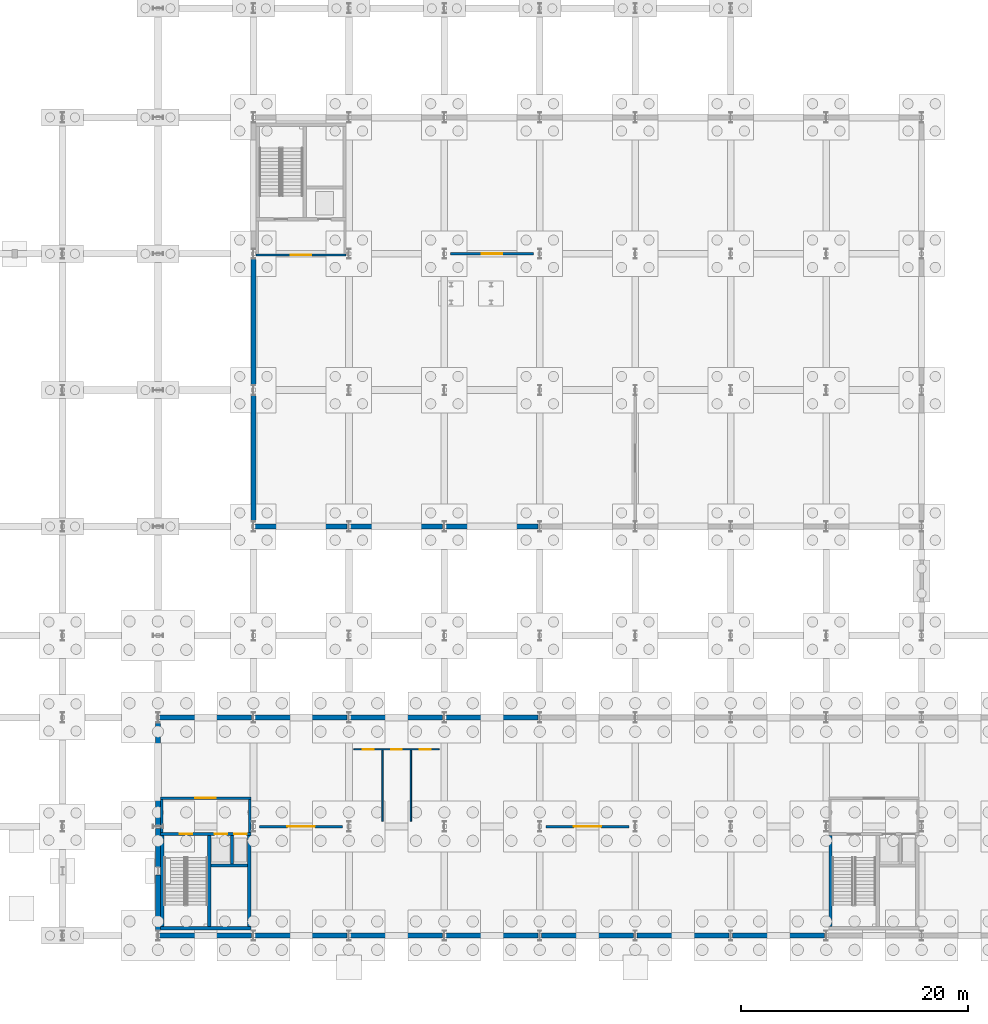
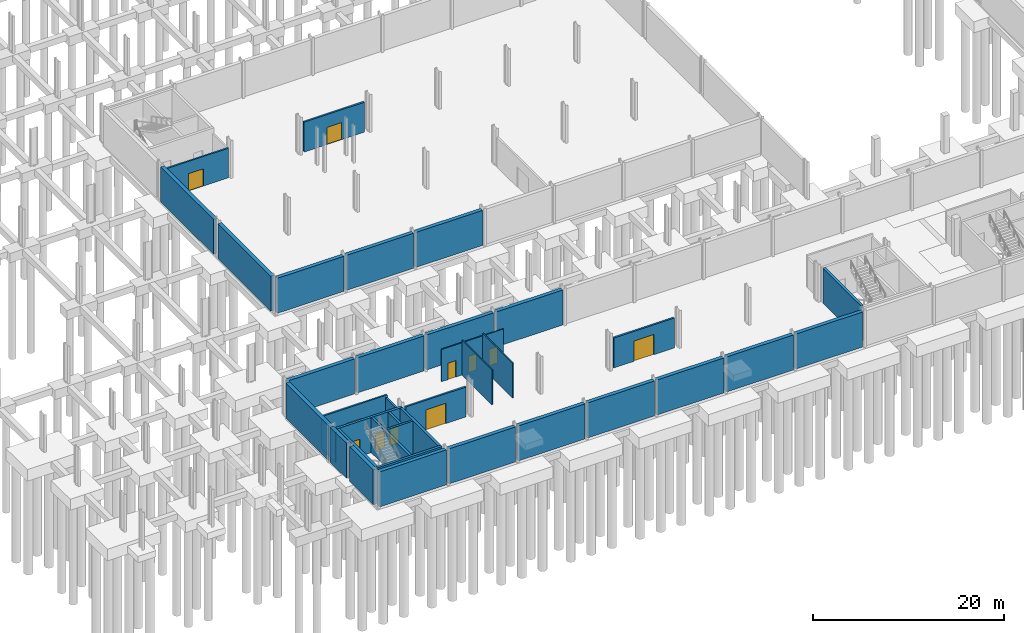
# One storey, part 20 of 29: 37 walls, 11 doors, 11 openings.
"""IFC4 building model written with IfcOpenShell, lengths in metres."""

from ifc_helpers import new_model, si_unit, direction, frame, frame_2d, origin, place, context, subcontext, project, spatial, rectangle, extrude, material, layer, layer_set, type_object, element, fill, save


model = new_model("IFC4")

# Units and contexts
model_context = context("Model", 3, precision=1e-05, world=origin(), true_north=direction((0.0, 1.0)))
body_context = subcontext(model_context, "Body", "Model", "MODEL_VIEW")
ifc_project = project(units=[si_unit("LENGTHUNIT", "METRE"), si_unit("AREAUNIT", "SQUARE_METRE"), si_unit("VOLUMEUNIT", "CUBIC_METRE"), si_unit("PLANEANGLEUNIT", "RADIAN"), si_unit("MASSUNIT", "GRAM", prefix="KILO")], contexts=[model_context])

# Site, building, storey
site_placement = place(None, origin())
site = spatial("IfcSite", under=ifc_project, at=site_placement, CompositionType="ELEMENT")
building_placement = place(site_placement, origin())
building = spatial("IfcBuilding", under=site, at=building_placement, Name="Veltarok Museum of Natural Sciences", CompositionType="ELEMENT")
storey_placement = place(building_placement, frame((0.0, 0.0, -4.800048828125)))
storey = spatial("IfcBuildingStorey", under=building, at=storey_placement, Name="B1", CompositionType="ELEMENT", Elevation=-4.800048828125)

# Wall, opening, door
ifc_material_1 = material(Name="Concrete C35/45", Category="concrete")
ifc_layer_1 = layer(ifc_material_1, 0.219970703125)
ifc_layer_set_1 = layer_set([ifc_layer_1], Name="Concrete C35/45")
wall_type_1 = type_object("IfcWallType", Name="Archive Compartment Partition 220", PredefinedType="PARTITIONING", material=ifc_layer_set_1)
wall_1_placement = place(storey_placement, frame((40.550048828125, 9.60009765625, 0.0), z_axis=(0.0, 0.0, 1.0), x_axis=(1.0, 0.0, 0.0)))
wall_1 = element("IfcWall", 1, at=wall_1_placement, inside=storey, type_object=wall_type_1, Name="Interior Partition B1-001", PredefinedType="PARTITIONING", context=body_context, shape_type="SweptSolid", body=[
    extrude(rectangle(XDim=7.300048828125, YDim=0.219970703125, at=frame_2d((3.64990234375, 0.0))), origin(), (0.0, 0.0, 1.0), 3.83203125),
])
opening_1_placement = place(wall_1_placement, frame((2.449951171875, 0.0, 0.0)))
opening_1 = element("IfcOpeningElement", 2, at=opening_1_placement, cuts=wall_1, Name="Opening D-B1-127", PredefinedType="OPENING", context=body_context, shape_type="SweptSolid", body=[
    extrude(rectangle(XDim=2.39990234375, YDim=2.60009765625, at=frame_2d((1.199951171875, 1.300048828125))), frame((0.0, 0.1201171875, 0.0), z_axis=(0.0, -1.0, 0.0), x_axis=(1.0, 0.0, 0.0)), (0.0, 0.0, 1.0), 0.239990234375),
])
ifc_material_2 = material(Name="Heavy fire-rated steel", Category="steel")
door_type_1 = type_object("IfcDoorType", Name="Archive Crate Double Vault Door 2400x2600", OperationType="NOTDEFINED", PredefinedType="DOOR", material=ifc_material_2)
door_1_placement = place(opening_1_placement, origin())
door_1 = element("IfcDoor", 3, at=door_1_placement, inside=storey, type_object=door_type_1, Name="Interior Door D-B1-127", OperationType="DOUBLE_DOOR_SINGLE_SWING", OverallHeight=2.60009765625, OverallWidth=2.39990234375, PredefinedType="DOOR", context=body_context, shape_type="SweptSolid", body=[
    extrude(rectangle(XDim=2.39990234375, YDim=2.60009765625, at=frame_2d((1.199951171875, 1.300048828125))), frame((0.0, 0.02490234375, 0.0), z_axis=(0.0, -1.0, 0.0), x_axis=(1.0, 0.0, 0.0)), (0.0, 0.0, 1.0), 0.050048828125),
])
fill(opening_1, door_1)

wall_2_placement = place(storey_placement, frame((65.75, 9.60009765625, 0.0), z_axis=(0.0, 0.0, 1.0), x_axis=(1.0, 0.0, 0.0)))
wall_2 = element("IfcWall", 4, at=wall_2_placement, inside=storey, type_object=wall_type_1, Name="Interior Partition B1-002", PredefinedType="PARTITIONING", context=body_context, shape_type="SweptSolid", body=[
    extrude(rectangle(XDim=7.300048828125, YDim=0.219970703125, at=frame_2d((3.64990234375, 0.0))), origin(), (0.0, 0.0, 1.0), 3.83203125),
])
opening_2_placement = place(wall_2_placement, frame((2.449951171875, 0.0, 0.0)))
opening_2 = element("IfcOpeningElement", 5, at=opening_2_placement, cuts=wall_2, Name="Opening D-B1-128", PredefinedType="OPENING", context=body_context, shape_type="SweptSolid", body=[
    extrude(rectangle(XDim=2.39990234375, YDim=2.60009765625, at=frame_2d((1.199951171875, 1.300048828125))), frame((0.0, 0.1201171875, 0.0), z_axis=(0.0, -1.0, 0.0), x_axis=(1.0, 0.0, 0.0)), (0.0, 0.0, 1.0), 0.239990234375),
])
door_2_placement = place(opening_2_placement, origin())
door_2 = element("IfcDoor", 6, at=door_2_placement, inside=storey, type_object=door_type_1, Name="Interior Door D-B1-128", OperationType="DOUBLE_DOOR_SINGLE_SWING", OverallHeight=2.60009765625, OverallWidth=2.39990234375, PredefinedType="DOOR", context=body_context, shape_type="SweptSolid", body=[
    extrude(rectangle(XDim=2.39990234375, YDim=2.60009765625, at=frame_2d((1.199951171875, 1.300048828125))), frame((0.0, 0.02490234375, 0.0), z_axis=(0.0, -1.0, 0.0), x_axis=(1.0, 0.0, 0.0)), (0.0, 0.0, 1.0), 0.050048828125),
])
fill(opening_2, door_2)

wall_3_placement = place(storey_placement, frame((57.35009765625, 60.0, 0.0), z_axis=(0.0, 0.0, 1.0), x_axis=(1.0, 0.0, 0.0)))
wall_3 = element("IfcWall", 7, at=wall_3_placement, inside=storey, type_object=wall_type_1, Name="Interior Partition B1-004", PredefinedType="PARTITIONING", context=body_context, shape_type="SweptSolid", body=[
    extrude(rectangle(XDim=7.2998046875, YDim=0.219970703125, at=frame_2d((3.64990234375, 0.0))), origin(), (0.0, 0.0, 1.0), 3.83203125),
])
opening_3_placement = place(wall_3_placement, frame((2.75, 0.0, 0.0)))
opening_3 = element("IfcOpeningElement", 8, at=opening_3_placement, cuts=wall_3, Name="Opening D-B1-130", PredefinedType="OPENING", context=body_context, shape_type="SweptSolid", body=[
    extrude(rectangle(XDim=1.800048828125, YDim=2.199951171875, at=frame_2d((0.89990234375, 1.10009765625))), frame((0.0, 0.1201171875, 0.0), z_axis=(0.0, -1.0, 0.0), x_axis=(1.0, 0.0, 0.0)), (0.0, 0.0, 1.0), 0.239990234375),
])
ifc_material_3 = material(Name="Fire-rated steel and vision glass", Category="steel")
door_type_2 = type_object("IfcDoorType", Name="Fire Lobby Double Door 1800x2200", OperationType="NOTDEFINED", PredefinedType="DOOR", material=ifc_material_3)
door_3_placement = place(opening_3_placement, origin())
door_3 = element("IfcDoor", 9, at=door_3_placement, inside=storey, type_object=door_type_2, Name="Interior Door D-B1-130", OperationType="DOUBLE_DOOR_SINGLE_SWING", OverallHeight=2.199951171875, OverallWidth=1.800048828125, PredefinedType="DOOR", context=body_context, shape_type="SweptSolid", body=[
    extrude(rectangle(XDim=1.800048828125, YDim=2.199951171875, at=frame_2d((0.89990234375, 1.10009765625))), frame((0.0, 0.02490234375, 0.0), z_axis=(0.0, -1.0, 0.0), x_axis=(1.0, 0.0, 0.0)), (0.0, 0.0, 1.0), 0.050048828125),
])
fill(opening_3, door_3)

ifc_layer_2 = layer(ifc_material_1, 0.199951171875)
ifc_layer_set_2 = layer_set([ifc_layer_2], Name="Concrete C35/45")
wall_type_2 = type_object("IfcWallType", Name="Firefighting Lobby Compartment Wall 200", PredefinedType="SOLIDWALL", material=ifc_layer_set_2)
wall_4_placement = place(storey_placement, frame((31.830078125, 12.10009765625, 0.0), z_axis=(0.0, 0.0, 1.0), x_axis=(1.0, 0.0, 0.0)))
wall_4 = element("IfcWall", 10, at=wall_4_placement, inside=storey, type_object=wall_type_2, Name="Firefighting Lobby Wall C1 B1 N", PredefinedType="SOLIDWALL", context=body_context, shape_type="SweptSolid", body=[
    extrude(rectangle(XDim=7.93994140625, YDim=0.199951171875, at=frame_2d((3.969970703125, 0.0))), origin(), (0.0, 0.0, 1.0), 4.132080078125),
])
opening_4_placement = place(wall_4_placement, frame((3.070068359375, 0.0, 0.0)))
opening_4 = element("IfcOpeningElement", 11, at=opening_4_placement, cuts=wall_4, Name="Opening D-B1-002", PredefinedType="OPENING", context=body_context, shape_type="SweptSolid", body=[
    extrude(rectangle(XDim=1.800048828125, YDim=2.199951171875, at=frame_2d((0.89990234375, 1.10009765625))), frame((0.0, 0.10986328125, 0.0), z_axis=(0.0, -1.0, 0.0), x_axis=(1.0, 0.0, 0.0)), (0.0, 0.0, 1.0), 0.219970703125),
])
door_4_placement = place(opening_4_placement, origin())
door_4 = element("IfcDoor", 12, at=door_4_placement, inside=storey, type_object=door_type_2, Name="Firefighting Lobby Entrance Door C1 B1", OperationType="DOUBLE_DOOR_SINGLE_SWING", OverallHeight=2.199951171875, OverallWidth=1.800048828125, PredefinedType="DOOR", context=body_context, shape_type="SweptSolid", body=[
    extrude(rectangle(XDim=1.800048828125, YDim=2.199951171875, at=frame_2d((0.89990234375, 1.10009765625))), frame((0.0, 0.02490234375, 0.0), z_axis=(0.0, -1.0, 0.0), x_axis=(1.0, 0.0, 0.0)), (0.0, 0.0, 1.0), 0.050048828125),
])
fill(opening_4, door_4)

# Walls
for number, where, z_axis, x_axis, name in (
    (13, (31.929931640625, 9.10009765625, 0.0), (0.0, 0.0, 1.0), (0.0, 1.0, 0.0), "Firefighting Lobby Wall C1 B1 W"),
    (14, (39.669921875, 12.0, 0.0), (0.0, 0.0, 1.0), (0.0, -1.0, 0.0), "Firefighting Lobby Wall C1 B1 E"),
):
    element("IfcWall", number, at=place(storey_placement, frame(where, z_axis=z_axis, x_axis=x_axis)), inside=storey, type_object=wall_type_2, Name=name, PredefinedType="SOLIDWALL", context=body_context, shape_type="SweptSolid", body=[
        extrude(rectangle(XDim=2.89990234375, YDim=0.199951171875, at=frame_2d((1.449951171875, 0.0))), origin(), (0.0, 0.0, 1.0), 3.83203125),
    ])

# Wall, opening, door
wall_5_placement = place(storey_placement, frame((48.169921875, 59.89990234375, 0.0), z_axis=(0.0, 0.0, 1.0), x_axis=(-1.0, 0.0, 0.0)))
wall_5 = element("IfcWall", 15, at=wall_5_placement, inside=storey, type_object=wall_type_2, Name="Firefighting Lobby Wall C3 B1 S", PredefinedType="SOLIDWALL", context=body_context, shape_type="SweptSolid", body=[
    extrude(rectangle(XDim=7.93994140625, YDim=0.199951171875, at=frame_2d((3.969970703125, 0.0))), origin(), (0.0, 0.0, 1.0), 3.781982421875),
])
opening_5_placement = place(wall_5_placement, frame((3.070068359375, 0.0, 0.0)))
opening_5 = element("IfcOpeningElement", 16, at=opening_5_placement, cuts=wall_5, Name="Opening D-B1-006", PredefinedType="OPENING", context=body_context, shape_type="SweptSolid", body=[
    extrude(rectangle(XDim=1.800048828125, YDim=2.199951171875, at=frame_2d((0.89990234375, 1.10009765625))), frame((0.0, 0.10986328125, 0.0), z_axis=(0.0, -1.0, 0.0), x_axis=(1.0, 0.0, 0.0)), (0.0, 0.0, 1.0), 0.219970703125),
])
door_5_placement = place(opening_5_placement, origin())
door_5 = element("IfcDoor", 17, at=door_5_placement, inside=storey, type_object=door_type_2, Name="Firefighting Lobby Entrance Door C3 B1", OperationType="DOUBLE_DOOR_SINGLE_SWING", OverallHeight=2.199951171875, OverallWidth=1.800048828125, PredefinedType="DOOR", context=body_context, shape_type="SweptSolid", body=[
    extrude(rectangle(XDim=1.800048828125, YDim=2.199951171875, at=frame_2d((0.89990234375, 1.10009765625))), frame((0.0, 0.02490234375, 0.0), z_axis=(0.0, -1.0, 0.0), x_axis=(1.0, 0.0, 0.0)), (0.0, 0.0, 1.0), 0.050048828125),
])
fill(opening_5, door_5)

# Walls
ifc_material_4 = material(Name="Concrete C40/50", Category="concrete")
ifc_layer_3 = layer(ifc_material_4, 0.25)
ifc_layer_set_3 = layer_set([ifc_layer_3], Name="Concrete C40/50")
wall_type_3 = type_object("IfcWallType", Name="Lift Shaft Concrete Shear Wall 250", PredefinedType="SHEAR", material=ifc_layer_set_3)
wall_6_placement = place(storey_placement, frame((38.114990234375, 6.300048828125, 0.0), z_axis=(0.0, 0.0, 1.0), x_axis=(0.0, 1.0, 0.0)))
element("IfcWall", 18, at=wall_6_placement, inside=storey, type_object=wall_type_3, Name="Lift Shaft Divider Wall C1 B1", PredefinedType="SHEAR", context=body_context, shape_type="SweptSolid", body=[
    extrude(rectangle(XDim=2.5, YDim=0.25, at=frame_2d((1.25, 0.0))), origin(), (0.0, 0.0, 1.0), 4.5),
])
wall_7_placement = place(storey_placement, frame((36.27001953125, 6.175048828125, 0.0), z_axis=(0.0, 0.0, 1.0), x_axis=(1.0, 0.0, 0.0)))
element("IfcWall", 19, at=wall_7_placement, inside=storey, type_object=wall_type_3, Name="Lift Shaft Back Wall C1 B1", PredefinedType="SHEAR", context=body_context, shape_type="SweptSolid", body=[
    extrude(rectangle(XDim=3.199951171875, YDim=0.25, at=frame_2d((1.60009765625, 0.0))), origin(), (0.0, 0.0, 1.0), 4.5),
])
ifc_layer_4 = layer(ifc_material_4, 0.300048828125)
ifc_layer_set_4 = layer_set([ifc_layer_4], Name="Concrete C40/50")
wall_type_4 = type_object("IfcWallType", Name="Protected Core Shear Wall 300", PredefinedType="SHEAR", material=ifc_layer_set_4)
wall_8_placement = place(storey_placement, frame((31.830078125, 0.64990234375, 0.0), z_axis=(0.0, 0.0, 1.0), x_axis=(1.0, 0.0, 0.0)))
element("IfcWall", 20, at=wall_8_placement, inside=storey, type_object=wall_type_4, Name="Core Shear Wall C1 B1 S", PredefinedType="SHEAR", context=body_context, shape_type="SweptSolid", body=[
    extrude(rectangle(XDim=7.93994140625, YDim=0.300048828125, at=frame_2d((3.969970703125, 0.0))), origin(), (0.0, 0.0, 1.0), 4.5),
])

# Wall, openings, doors
wall_9_placement = place(storey_placement, frame((39.77001953125, 8.949951171875, 0.0), z_axis=(0.0, 0.0, 1.0), x_axis=(-1.0, 0.0, 0.0)))
wall_9 = element("IfcWall", 21, at=wall_9_placement, inside=storey, type_object=wall_type_4, Name="Core Shear Wall C1 B1 N", PredefinedType="SHEAR", context=body_context, shape_type="SweptSolid", body=[
    extrude(rectangle(XDim=7.93994140625, YDim=0.300048828125, at=frame_2d((3.969970703125, 0.0))), origin(), (0.0, 0.0, 1.0), 4.5),
])
opening_6_placement = place(wall_9_placement, frame((5.169921875, 0.0, 0.0)))
opening_6 = element("IfcOpeningElement", 22, at=opening_6_placement, cuts=wall_9, Name="Opening D-B1-001", PredefinedType="OPENING", context=body_context, shape_type="SweptSolid", body=[
    extrude(rectangle(XDim=1.10009765625, YDim=2.199951171875, at=frame_2d((0.550048828125, 1.10009765625))), frame((0.0, 0.16015625, 0.0), z_axis=(0.0, -1.0, 0.0), x_axis=(1.0, 0.0, 0.0)), (0.0, 0.0, 1.0), 0.320068359375),
])
opening_7_placement = place(wall_9_placement, frame((2.090087890625, 0.0, 0.0)))
opening_7 = element("IfcOpeningElement", 23, at=opening_7_placement, cuts=wall_9, Name="Opening LD-B1-LP-01", PredefinedType="OPENING", context=body_context, shape_type="SweptSolid", body=[
    extrude(rectangle(XDim=1.10009765625, YDim=2.10009765625, at=frame_2d((0.550048828125, 1.050048828125))), frame((0.0, 0.16015625, 0.0), z_axis=(0.0, -1.0, 0.0), x_axis=(1.0, 0.0, 0.0)), (0.0, 0.0, 1.0), 0.320068359375),
])
opening_8_placement = place(wall_9_placement, frame((0.364990234375, 0.0, 0.0)))
opening_8 = element("IfcOpeningElement", 24, at=opening_8_placement, cuts=wall_9, Name="Opening LD-B1-FL-01", PredefinedType="OPENING", context=body_context, shape_type="SweptSolid", body=[
    extrude(rectangle(XDim=1.10009765625, YDim=2.10009765625, at=frame_2d((0.550048828125, 1.050048828125))), frame((0.0, 0.16015625, 0.0), z_axis=(0.0, -1.0, 0.0), x_axis=(1.0, 0.0, 0.0)), (0.0, 0.0, 1.0), 0.320068359375),
])
ifc_material_5 = material(Name="Fire-rated painted steel", Category="steel")
door_type_3 = type_object("IfcDoorType", Name="Fire Core Single Escape Door 1100x2200", OperationType="NOTDEFINED", PredefinedType="DOOR", material=ifc_material_5)
door_6_placement = place(opening_6_placement, origin())
door_6 = element("IfcDoor", 25, at=door_6_placement, inside=storey, type_object=door_type_3, Name="Protected Stair Door ST-01 B1", OperationType="SINGLE_SWING_LEFT", OverallHeight=2.199951171875, OverallWidth=1.10009765625, PredefinedType="DOOR", context=body_context, shape_type="SweptSolid", body=[
    extrude(rectangle(XDim=1.10009765625, YDim=2.199951171875, at=frame_2d((0.550048828125, 1.10009765625))), frame((0.0, 0.02490234375, 0.0), z_axis=(0.0, -1.0, 0.0), x_axis=(1.0, 0.0, 0.0)), (0.0, 0.0, 1.0), 0.050048828125),
])
fill(opening_6, door_6)
ifc_material_6 = material(Name="Brushed stainless steel", Category="steel")
door_type_4 = type_object("IfcDoorType", Name="Passenger and Firefighting Lift Landing Door 1100x2100", OperationType="SLIDING_TO_LEFT", PredefinedType="DOOR", material=ifc_material_6)
door_7_placement = place(opening_7_placement, origin())
door_7 = element("IfcDoor", 26, at=door_7_placement, inside=storey, type_object=door_type_4, Name="Sliding Lift Landing Door LD-B1-LP-01", OperationType="SLIDING_TO_LEFT", OverallHeight=2.10009765625, OverallWidth=1.10009765625, PredefinedType="DOOR", context=body_context, shape_type="SweptSolid", body=[
    extrude(rectangle(XDim=1.10009765625, YDim=2.10009765625, at=frame_2d((0.550048828125, 1.050048828125))), frame((0.0, 0.02490234375, 0.0), z_axis=(0.0, -1.0, 0.0), x_axis=(1.0, 0.0, 0.0)), (0.0, 0.0, 1.0), 0.050048828125),
])
fill(opening_7, door_7)
door_8_placement = place(opening_8_placement, origin())
door_8 = element("IfcDoor", 27, at=door_8_placement, inside=storey, type_object=door_type_4, Name="Sliding Lift Landing Door LD-B1-FL-01", OperationType="SLIDING_TO_LEFT", OverallHeight=2.10009765625, OverallWidth=1.10009765625, PredefinedType="DOOR", context=body_context, shape_type="SweptSolid", body=[
    extrude(rectangle(XDim=1.10009765625, YDim=2.10009765625, at=frame_2d((0.550048828125, 1.050048828125))), frame((0.0, 0.02490234375, 0.0), z_axis=(0.0, -1.0, 0.0), x_axis=(1.0, 0.0, 0.0)), (0.0, 0.0, 1.0), 0.050048828125),
])
fill(opening_8, door_8)

# Walls
for number, where, z_axis, x_axis, name in (
    (28, (31.97998046875, 8.800048828125, 0.0), (0.0, 0.0, 1.0), (0.0, -1.0, 0.0), "Core Shear Wall C1 B1 W"),
    (29, (39.6201171875, 0.800048828125, 0.0), (0.0, 0.0, 1.0), (0.0, 1.0, 0.0), "Core Shear Wall C1 B1 E"),
    (30, (36.1201171875, 0.800048828125, 0.0), (0.0, 0.0, 1.0), (0.0, 1.0, 0.0), "Core Shear Wall C1 B1 DIV"),
    (31, (90.780029296875, 8.800048828125, 0.0), (0.0, 0.0, 1.0), (0.0, -1.0, 0.0), "Core Shear Wall C2 B1 W"),
):
    element("IfcWall", number, at=place(storey_placement, frame(where, z_axis=z_axis, x_axis=x_axis)), inside=storey, type_object=wall_type_4, Name=name, PredefinedType="SHEAR", context=body_context, shape_type="SweptSolid", body=[
        extrude(rectangle(XDim=8.0, YDim=0.300048828125, at=frame_2d((4.0, 0.0))), origin(), (0.0, 0.0, 1.0), 4.5),
    ])

# Wall, openings, doors
ifc_material_7 = material(Name="Acoustic gypsum and mineral wool")
ifc_layer_5 = layer(ifc_material_7, 0.125)
ifc_layer_set_5 = layer_set([ifc_layer_5], Name="Acoustic gypsum and mineral wool")
wall_type_5 = type_object("IfcWallType", Name="Sanitary Core Moisture-Resistant Partition 125", PredefinedType="PARTITIONING", material=ifc_layer_set_5)
wall_10_placement = place(storey_placement, frame((48.85009765625, 16.39990234375, 0.0), z_axis=(0.0, 0.0, 1.0), x_axis=(1.0, 0.0, 0.0)))
wall_10 = element("IfcWall", 32, at=wall_10_placement, inside=storey, type_object=wall_type_5, Name="Restroom Corridor Wall B1", PredefinedType="PARTITIONING", context=body_context, shape_type="SweptSolid", body=[
    extrude(rectangle(XDim=7.5, YDim=0.125, at=frame_2d((3.75, 0.0))), origin(), (0.0, 0.0, 1.0), 4.132080078125),
])
opening_9_placement = place(wall_10_placement, frame((0.77490234375, 0.0, 0.0)))
opening_9 = element("IfcOpeningElement", 33, at=opening_9_placement, cuts=wall_10, Name="Opening D-B1-106", PredefinedType="OPENING", context=body_context, shape_type="SweptSolid", body=[
    extrude(rectangle(XDim=0.949951171875, YDim=2.10009765625, at=frame_2d((0.47509765625, 1.050048828125))), frame((0.0, 0.072509765625, 0.0), z_axis=(0.0, -1.0, 0.0), x_axis=(1.0, 0.0, 0.0)), (0.0, 0.0, 1.0), 0.14501953125),
])
opening_10_placement = place(wall_10_placement, frame((3.27490234375, 0.0, 0.0)))
opening_10 = element("IfcOpeningElement", 34, at=opening_10_placement, cuts=wall_10, Name="Opening D-B1-107", PredefinedType="OPENING", context=body_context, shape_type="SweptSolid", body=[
    extrude(rectangle(XDim=0.949951171875, YDim=2.10009765625, at=frame_2d((0.47509765625, 1.050048828125))), frame((0.0, 0.072509765625, 0.0), z_axis=(0.0, -1.0, 0.0), x_axis=(1.0, 0.0, 0.0)), (0.0, 0.0, 1.0), 0.14501953125),
])
opening_11_placement = place(wall_10_placement, frame((5.77490234375, 0.0, 0.0)))
opening_11 = element("IfcOpeningElement", 35, at=opening_11_placement, cuts=wall_10, Name="Opening D-B1-108", PredefinedType="OPENING", context=body_context, shape_type="SweptSolid", body=[
    extrude(rectangle(XDim=1.0, YDim=2.1201171875, at=frame_2d((0.5, 1.06005859375))), frame((0.0, 0.072509765625, 0.0), z_axis=(0.0, -1.0, 0.0), x_axis=(1.0, 0.0, 0.0)), (0.0, 0.0, 1.0), 0.14501953125),
])
ifc_material_8 = material(Name="Moisture-resistant HPL")
door_type_5 = type_object("IfcDoorType", Name="Accessible Restroom Wide Door 1000x2120", OperationType="NOTDEFINED", PredefinedType="DOOR", material=ifc_material_8)
door_9_placement = place(opening_11_placement, frame((1.0, 0.0, 0.0), z_axis=(0.0, 0.0, 1.0), x_axis=(-1.0, 0.0, 0.0)))
door_9 = element("IfcDoor", 36, at=door_9_placement, inside=storey, type_object=door_type_5, Name="Restroom Door D-B1-108", OperationType="SINGLE_SWING_RIGHT", OverallHeight=2.1201171875, OverallWidth=1.0, PredefinedType="DOOR", context=body_context, shape_type="SweptSolid", body=[
    extrude(rectangle(XDim=1.0, YDim=2.1201171875, at=frame_2d((0.5, 1.06005859375))), frame((0.0, 0.02490234375, 0.0), z_axis=(0.0, -1.0, 0.0), x_axis=(1.0, 0.0, 0.0)), (0.0, 0.0, 1.0), 0.050048828125),
])
fill(opening_11, door_9)
door_type_6 = type_object("IfcDoorType", Name="Accessible Sanitary Room Door 950x2100", OperationType="NOTDEFINED", PredefinedType="DOOR", material=ifc_material_8)
door_10_placement = place(opening_9_placement, frame((0.949951171875, 0.0, 0.0), z_axis=(0.0, 0.0, 1.0), x_axis=(-1.0, 0.0, 0.0)))
door_10 = element("IfcDoor", 37, at=door_10_placement, inside=storey, type_object=door_type_6, Name="Restroom Door D-B1-106", OperationType="SINGLE_SWING_RIGHT", OverallHeight=2.10009765625, OverallWidth=0.949951171875, PredefinedType="DOOR", context=body_context, shape_type="SweptSolid", body=[
    extrude(rectangle(XDim=0.949951171875, YDim=2.10009765625, at=frame_2d((0.47509765625, 1.050048828125))), frame((0.0, 0.02490234375, 0.0), z_axis=(0.0, -1.0, 0.0), x_axis=(1.0, 0.0, 0.0)), (0.0, 0.0, 1.0), 0.050048828125),
])
fill(opening_9, door_10)
door_11_placement = place(opening_10_placement, frame((0.949951171875, 0.0, 0.0), z_axis=(0.0, 0.0, 1.0), x_axis=(-1.0, 0.0, 0.0)))
door_11 = element("IfcDoor", 38, at=door_11_placement, inside=storey, type_object=door_type_6, Name="Restroom Door D-B1-107", OperationType="SINGLE_SWING_LEFT", OverallHeight=2.10009765625, OverallWidth=0.949951171875, PredefinedType="DOOR", context=body_context, shape_type="SweptSolid", body=[
    extrude(rectangle(XDim=0.949951171875, YDim=2.10009765625, at=frame_2d((0.47509765625, 1.050048828125))), frame((0.0, 0.02490234375, 0.0), z_axis=(0.0, -1.0, 0.0), x_axis=(1.0, 0.0, 0.0)), (0.0, 0.0, 1.0), 0.050048828125),
])
fill(opening_10, door_11)

# Walls
for number, where, z_axis, x_axis, name in (
    (39, (51.35009765625, 10.050048828125, 0.0), (0.0, 0.0, 1.0), (0.0, 1.0, 0.0), "Restroom Divider B1-1"),
    (40, (53.85009765625, 10.050048828125, 0.0), (0.0, 0.0, 1.0), (0.0, 1.0, 0.0), "Restroom Divider B1-2"),
):
    element("IfcWall", number, at=place(storey_placement, frame(where, z_axis=z_axis, x_axis=x_axis)), inside=storey, type_object=wall_type_5, Name=name, PredefinedType="PARTITIONING", context=body_context, shape_type="SweptSolid", body=[
        extrude(rectangle(XDim=6.27001953125, YDim=0.125, at=frame_2d((3.135009765625, 0.0))), origin(), (0.0, 0.0, 1.0), 4.47998046875),
    ])
ifc_layer_6 = layer(ifc_material_1, 0.449951171875)
ifc_layer_set_6 = layer_set([ifc_layer_6], Name="Concrete C35/45")
wall_type_6 = type_object("IfcWallType", Name="Tanked Basement Retaining Wall 450", PredefinedType="USERDEFINED", material=ifc_layer_set_6)
for number, where, z_axis, x_axis, name in (
    (41, (31.75, 19.199951171875, 0.0), (0.0, 0.0, 1.0), (1.0, 0.0, 0.0), "Basement Retaining Wall B1-001"),
    (42, (40.14990234375, 19.199951171875, 0.0), (0.0, 0.0, 1.0), (1.0, 0.0, 0.0), "Basement Retaining Wall B1-002"),
):
    element("IfcWall", number, at=place(storey_placement, frame(where, z_axis=z_axis, x_axis=x_axis)), inside=storey, type_object=wall_type_6, Name=name, ObjectType="RETAININGWALL", PredefinedType="USERDEFINED", context=body_context, shape_type="SweptSolid", body=[
        extrude(rectangle(XDim=8.10009765625, YDim=0.449951171875, at=frame_2d((4.050048828125, 0.0))), origin(), (0.0, 0.0, 1.0), 4.47998046875),
    ])
wall_11_placement = place(storey_placement, frame((48.550048828125, 19.199951171875, 0.0), z_axis=(0.0, 0.0, 1.0), x_axis=(1.0, 0.0, 0.0)))
element("IfcWall", 43, at=wall_11_placement, inside=storey, type_object=wall_type_6, Name="Basement Retaining Wall B1-003", ObjectType="RETAININGWALL", PredefinedType="USERDEFINED", context=body_context, shape_type="SweptSolid", body=[
    extrude(rectangle(XDim=8.099853515625, YDim=0.449951171875, at=frame_2d((4.0498046875, 0.0))), origin(), (0.0, 0.0, 1.0), 4.47998046875),
])
for number, where, z_axis, x_axis, name in (
    (44, (56.949951171875, 19.199951171875, 0.0), (0.0, 0.0, 1.0), (1.0, 0.0, 0.0), "Basement Retaining Wall B1-004"),
    (45, (90.25, 0.0, 0.0), (0.0, 0.0, 1.0), (-1.0, 0.0, 0.0), "Basement Retaining Wall B1-038"),
    (46, (81.85009765625, 0.0, 0.0), (0.0, 0.0, 1.0), (-1.0, 0.0, 0.0), "Basement Retaining Wall B1-039"),
):
    element("IfcWall", number, at=place(storey_placement, frame(where, z_axis=z_axis, x_axis=x_axis)), inside=storey, type_object=wall_type_6, Name=name, ObjectType="RETAININGWALL", PredefinedType="USERDEFINED", context=body_context, shape_type="SweptSolid", body=[
        extrude(rectangle(XDim=8.10009765625, YDim=0.449951171875, at=frame_2d((4.050048828125, 0.0))), origin(), (0.0, 0.0, 1.0), 4.47998046875),
    ])
wall_12_placement = place(storey_placement, frame((73.449951171875, 0.0, 0.0), z_axis=(0.0, 0.0, 1.0), x_axis=(-1.0, 0.0, 0.0)))
element("IfcWall", 47, at=wall_12_placement, inside=storey, type_object=wall_type_6, Name="Basement Retaining Wall B1-040", ObjectType="RETAININGWALL", PredefinedType="USERDEFINED", context=body_context, shape_type="SweptSolid", body=[
    extrude(rectangle(XDim=8.099853515625, YDim=0.449951171875, at=frame_2d((4.0498046875, 0.0))), origin(), (0.0, 0.0, 1.0), 4.47998046875),
])
wall_13_placement = place(storey_placement, frame((65.050048828125, 0.0, 0.0), z_axis=(0.0, 0.0, 1.0), x_axis=(-1.0, 0.0, 0.0)))
element("IfcWall", 48, at=wall_13_placement, inside=storey, type_object=wall_type_6, Name="Basement Retaining Wall B1-041", ObjectType="RETAININGWALL", PredefinedType="USERDEFINED", context=body_context, shape_type="SweptSolid", body=[
    extrude(rectangle(XDim=8.10009765625, YDim=0.449951171875, at=frame_2d((4.050048828125, 0.0))), origin(), (0.0, 0.0, 1.0), 4.47998046875),
])
wall_14_placement = place(storey_placement, frame((56.64990234375, 0.0, 0.0), z_axis=(0.0, 0.0, 1.0), x_axis=(-1.0, 0.0, 0.0)))
element("IfcWall", 49, at=wall_14_placement, inside=storey, type_object=wall_type_6, Name="Basement Retaining Wall B1-042", ObjectType="RETAININGWALL", PredefinedType="USERDEFINED", context=body_context, shape_type="SweptSolid", body=[
    extrude(rectangle(XDim=8.099853515625, YDim=0.449951171875, at=frame_2d((4.0498046875, 0.0))), origin(), (0.0, 0.0, 1.0), 4.47998046875),
])
for number, where, z_axis, x_axis, name in (
    (50, (48.25, 0.0, 0.0), (0.0, 0.0, 1.0), (-1.0, 0.0, 0.0), "Basement Retaining Wall B1-043"),
    (51, (39.85009765625, 0.0, 0.0), (0.0, 0.0, 1.0), (-1.0, 0.0, 0.0), "Basement Retaining Wall B1-044"),
):
    element("IfcWall", number, at=place(storey_placement, frame(where, z_axis=z_axis, x_axis=x_axis)), inside=storey, type_object=wall_type_6, Name=name, ObjectType="RETAININGWALL", PredefinedType="USERDEFINED", context=body_context, shape_type="SweptSolid", body=[
        extrude(rectangle(XDim=8.10009765625, YDim=0.449951171875, at=frame_2d((4.050048828125, 0.0))), origin(), (0.0, 0.0, 1.0), 4.47998046875),
    ])
wall_15_placement = place(storey_placement, frame((31.60009765625, 0.449951171875, 0.0), z_axis=(0.0, 0.0, 1.0), x_axis=(0.0, 1.0, 0.0)))
element("IfcWall", 52, at=wall_15_placement, inside=storey, type_object=wall_type_6, Name="Basement Retaining Wall B1-045", ObjectType="RETAININGWALL", PredefinedType="USERDEFINED", context=body_context, shape_type="SweptSolid", body=[
    extrude(rectangle(XDim=4.900146484375, YDim=0.449951171875, at=frame_2d((2.4501953125, 0.0))), origin(), (0.0, 0.0, 1.0), 4.47998046875),
])
wall_16_placement = place(storey_placement, frame((31.60009765625, 6.050048828125, 0.0), z_axis=(0.0, 0.0, 1.0), x_axis=(0.0, 1.0, 0.0)))
element("IfcWall", 53, at=wall_16_placement, inside=storey, type_object=wall_type_6, Name="Basement Retaining Wall B1-046", ObjectType="RETAININGWALL", PredefinedType="USERDEFINED", context=body_context, shape_type="SweptSolid", body=[
    extrude(rectangle(XDim=3.39990234375, YDim=0.449951171875, at=frame_2d((1.699951171875, 0.0))), origin(), (0.0, 0.0, 1.0), 4.47998046875),
])
wall_17_placement = place(storey_placement, frame((31.60009765625, 9.75, 0.0), z_axis=(0.0, 0.0, 1.0), x_axis=(0.0, 1.0, 0.0)))
element("IfcWall", 54, at=wall_17_placement, inside=storey, type_object=wall_type_6, Name="Basement Retaining Wall B1-047", ObjectType="RETAININGWALL", PredefinedType="USERDEFINED", context=body_context, shape_type="SweptSolid", body=[
    extrude(rectangle(XDim=9.0, YDim=0.449951171875, at=frame_2d((4.5, 0.0))), origin(), (0.0, 0.0, 1.0), 4.47998046875),
])
wall_18_placement = place(storey_placement, frame((65.050048828125, 36.0, 0.0), z_axis=(0.0, 0.0, 1.0), x_axis=(-1.0, 0.0, 0.0)))
element("IfcWall", 55, at=wall_18_placement, inside=storey, type_object=wall_type_6, Name="Basement Retaining Wall B1-062", ObjectType="RETAININGWALL", PredefinedType="USERDEFINED", context=body_context, shape_type="SweptSolid", body=[
    extrude(rectangle(XDim=8.10009765625, YDim=0.449951171875, at=frame_2d((4.050048828125, 0.0))), origin(), (0.0, 0.0, 1.0), 4.47998046875),
])
wall_19_placement = place(storey_placement, frame((56.64990234375, 36.0, 0.0), z_axis=(0.0, 0.0, 1.0), x_axis=(-1.0, 0.0, 0.0)))
element("IfcWall", 56, at=wall_19_placement, inside=storey, type_object=wall_type_6, Name="Basement Retaining Wall B1-063", ObjectType="RETAININGWALL", PredefinedType="USERDEFINED", context=body_context, shape_type="SweptSolid", body=[
    extrude(rectangle(XDim=8.099853515625, YDim=0.449951171875, at=frame_2d((4.0498046875, 0.0))), origin(), (0.0, 0.0, 1.0), 4.47998046875),
])
wall_20_placement = place(storey_placement, frame((48.25, 36.0, 0.0), z_axis=(0.0, 0.0, 1.0), x_axis=(-1.0, 0.0, 0.0)))
element("IfcWall", 57, at=wall_20_placement, inside=storey, type_object=wall_type_6, Name="Basement Retaining Wall B1-064", ObjectType="RETAININGWALL", PredefinedType="USERDEFINED", context=body_context, shape_type="SweptSolid", body=[
    extrude(rectangle(XDim=8.10009765625, YDim=0.449951171875, at=frame_2d((4.050048828125, 0.0))), origin(), (0.0, 0.0, 1.0), 4.47998046875),
])
for number, where, z_axis, x_axis, name in (
    (58, (40.0, 36.449951171875, 0.0), (0.0, 0.0, 1.0), (0.0, 1.0, 0.0), "Basement Retaining Wall B1-065"),
    (59, (40.0, 48.449951171875, 0.0), (0.0, 0.0, 1.0), (0.0, 1.0, 0.0), "Basement Retaining Wall B1-066"),
):
    element("IfcWall", number, at=place(storey_placement, frame(where, z_axis=z_axis, x_axis=x_axis)), inside=storey, type_object=wall_type_6, Name=name, ObjectType="RETAININGWALL", PredefinedType="USERDEFINED", context=body_context, shape_type="SweptSolid", body=[
        extrude(rectangle(XDim=11.10009765625, YDim=0.449951171875, at=frame_2d((5.550048828125, 0.0))), origin(), (0.0, 0.0, 1.0), 4.47998046875),
    ])

save(model, "model.ifc")
